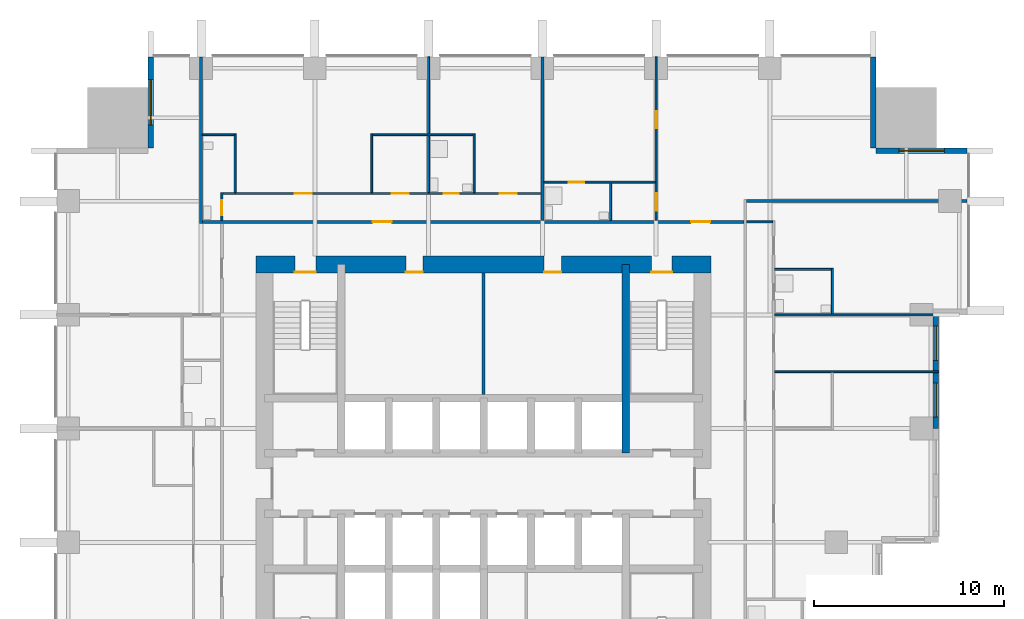
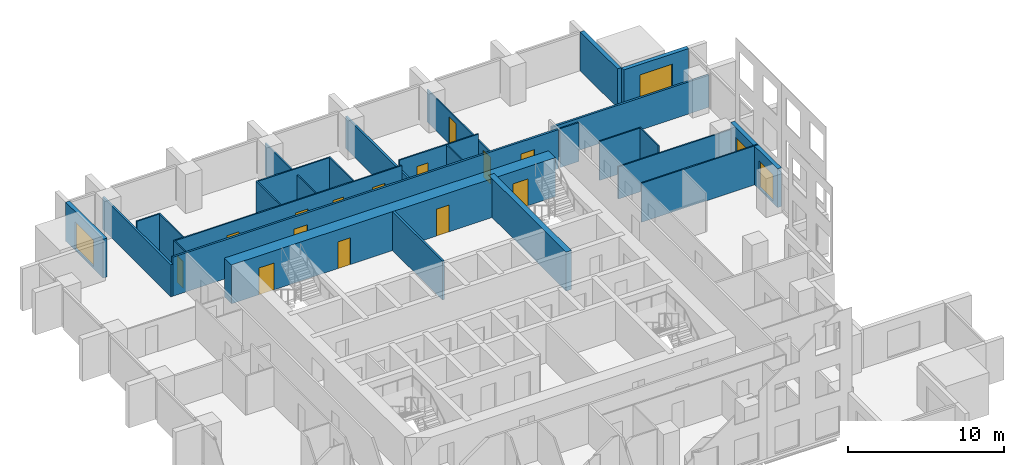
# One storey, part 7 of 11: 27 walls, 14 doors, 4 windows, 18 openings.
"""IFC4 building model written with IfcOpenShell, lengths in metres."""

from ifc_helpers import new_model, si_unit, direction, frame, frame_2d, origin, place, context, subcontext, project, spatial, rectangle, extrude, material, layer, layer_set, type_object, element, fill, save


model = new_model("IFC4")

# Units and contexts
model_context = context("Model", 3, precision=1e-05, world=origin(), true_north=direction((0.0, 1.0)))
body_context = subcontext(model_context, "Body", "Model", "MODEL_VIEW")
ifc_project = project(units=[si_unit("LENGTHUNIT", "METRE"), si_unit("AREAUNIT", "SQUARE_METRE"), si_unit("VOLUMEUNIT", "CUBIC_METRE"), si_unit("PLANEANGLEUNIT", "RADIAN"), si_unit("MASSUNIT", "GRAM", prefix="KILO")], contexts=[model_context])

# Site, building, storey
site_placement = place(None, origin())
site = spatial("IfcSite", under=ifc_project, at=site_placement, CompositionType="ELEMENT")
building_placement = place(site_placement, origin())
building = spatial("IfcBuilding", under=site, at=building_placement, Name="Amberfall Residences", CompositionType="ELEMENT")
storey_placement = place(building_placement, frame((0.0, 0.0, 33.39990234375)))
storey = spatial("IfcBuildingStorey", under=building, at=storey_placement, Name="L08", CompositionType="ELEMENT", Elevation=33.39990234375)

# Wall, opening, window
ifc_material_1 = material(Name="Pale stone cladding on insulated backing", Category="masonry")
ifc_layer_1 = layer(ifc_material_1, 0.300048828125)
ifc_layer_set_1 = layer_set([ifc_layer_1], Name="Bronze clad wall 300")
wall_type_1 = type_object("IfcWallType", Name="Bronze clad wall 300", PredefinedType="SOLIDWALL", material=ifc_layer_set_1)
wall_1_placement = place(storey_placement, frame((100.0, 63.050048828125, 0.0), z_axis=(0.0, 0.0, 1.0), x_axis=(-1.0, 0.0, 0.0)))
wall_1 = element("IfcWall", 1, at=wall_1_placement, inside=storey, type_object=wall_type_1, Name="External wall L08 NE", PredefinedType="SOLIDWALL", context=body_context, shape_type="SweptSolid", body=[
    extrude(rectangle(XDim=4.800048828125, YDim=0.300048828125, at=frame_2d((2.39990234375, 0.0))), origin(), (0.0, 0.0, 1.0), 3.050048828125),
])
opening_1_placement = place(wall_1_placement, frame((1.199951171875, 0.0, 0.14990234375)))
opening_1 = element("IfcOpeningElement", 2, at=opening_1_placement, cuts=wall_1, Name="Opening WN5", PredefinedType="OPENING", context=body_context, shape_type="SweptSolid", body=[
    extrude(rectangle(XDim=2.39990234375, YDim=2.10009765625, at=frame_2d((1.199951171875, 1.050048828125))), frame((0.0, 0.159912109375, 0.0), z_axis=(0.0, -1.0, 0.0), x_axis=(1.0, 0.0, 0.0)), (0.0, 0.0, 1.0), 0.320068359375),
])
ifc_material_2 = material(Name="Bronze aluminium framed glazing", Category="aluminium")
window_type_1 = type_object("IfcWindowType", Name="Glazed opening 2400 x 2100 bronze", PartitioningType="DOUBLE_PANEL_VERTICAL", PredefinedType="WINDOW", material=ifc_material_2)
window_1_placement = place(opening_1_placement, origin())
window_1 = element("IfcWindow", 3, at=window_1_placement, inside=storey, type_object=window_type_1, Name="Window L08 NE", OverallHeight=2.10009765625, OverallWidth=2.39990234375, PartitioningType="DOUBLE_PANEL_VERTICAL", PredefinedType="WINDOW", context=body_context, shape_type="SweptSolid", body=[
    extrude(rectangle(XDim=2.39990234375, YDim=2.10009765625, at=frame_2d((1.199951171875, 1.050048828125))), frame((0.0, 0.030029296875, 0.0), z_axis=(0.0, -1.0, 0.0), x_axis=(1.0, 0.0, 0.0)), (0.0, 0.0, 1.0), 0.06005859375),
])
fill(opening_1, window_1)

# Wall
wall_2_placement = place(storey_placement, frame((95.050048828125, 63.199951171875, 0.0), z_axis=(0.0, 0.0, 1.0), x_axis=(0.0, 1.0, 0.0)))
element("IfcWall", 4, at=wall_2_placement, inside=storey, type_object=wall_type_1, Name="External wall L08 NE", PredefinedType="SOLIDWALL", context=body_context, shape_type="SweptSolid", body=[
    extrude(rectangle(XDim=4.800048828125, YDim=0.300048828125, at=frame_2d((2.39990234375, 0.0))), origin(), (0.0, 0.0, 1.0), 3.050048828125),
])

# Wall, opening, window
wall_3_placement = place(storey_placement, frame((56.949951171875, 68.0, 0.0), z_axis=(0.0, 0.0, 1.0), x_axis=(0.0, -1.0, 0.0)))
wall_3 = element("IfcWall", 5, at=wall_3_placement, inside=storey, type_object=wall_type_1, Name="External wall L08 NW", PredefinedType="SOLIDWALL", context=body_context, shape_type="SweptSolid", body=[
    extrude(rectangle(XDim=4.800048828125, YDim=0.300048828125, at=frame_2d((2.39990234375, 0.0))), origin(), (0.0, 0.0, 1.0), 3.050048828125),
])
opening_2_placement = place(wall_3_placement, frame((1.199951171875, 0.0, 0.14990234375)))
opening_2 = element("IfcOpeningElement", 6, at=opening_2_placement, cuts=wall_3, Name="Opening WN5", PredefinedType="OPENING", context=body_context, shape_type="SweptSolid", body=[
    extrude(rectangle(XDim=2.39990234375, YDim=2.10009765625, at=frame_2d((1.199951171875, 1.050048828125))), frame((0.0, 0.159912109375, 0.0), z_axis=(0.0, -1.0, 0.0), x_axis=(1.0, 0.0, 0.0)), (0.0, 0.0, 1.0), 0.320068359375),
])
window_2_placement = place(opening_2_placement, origin())
window_2 = element("IfcWindow", 7, at=window_2_placement, inside=storey, type_object=window_type_1, Name="Window L08 NW", OverallHeight=2.10009765625, OverallWidth=2.39990234375, PartitioningType="DOUBLE_PANEL_VERTICAL", PredefinedType="WINDOW", context=body_context, shape_type="SweptSolid", body=[
    extrude(rectangle(XDim=2.39990234375, YDim=2.10009765625, at=frame_2d((1.199951171875, 1.050048828125))), frame((0.0, 0.030029296875, 0.0), z_axis=(0.0, -1.0, 0.0), x_axis=(1.0, 0.0, 0.0)), (0.0, 0.0, 1.0), 0.06005859375),
])
fill(opening_2, window_2)

# Wall, openings, windows
wall_4_placement = place(storey_placement, frame((98.35009765625, 48.39990234375, 0.0), z_axis=(0.0, 0.0, 1.0), x_axis=(0.0, 1.0, 0.0)))
wall_4 = element("IfcWall", 8, at=wall_4_placement, inside=storey, type_object=wall_type_1, Name="Stone wall L08 E", PredefinedType="SOLIDWALL", context=body_context, shape_type="SweptSolid", body=[
    extrude(rectangle(XDim=6.0, YDim=0.300048828125, at=frame_2d((3.0, 0.0))), origin(), (0.0, 0.0, 1.0), 3.050048828125),
])
opening_3_placement = place(wall_4_placement, frame((0.60009765625, 0.0, 0.14990234375)))
opening_3 = element("IfcOpeningElement", 9, at=opening_3_placement, cuts=wall_4, Name="Opening WN6", PredefinedType="OPENING", context=body_context, shape_type="SweptSolid", body=[
    extrude(rectangle(XDim=1.800048828125, YDim=2.10009765625, at=frame_2d((0.89990234375, 1.050048828125))), frame((0.0, 0.159912109375, 0.0), z_axis=(0.0, -1.0, 0.0), x_axis=(1.0, 0.0, 0.0)), (0.0, 0.0, 1.0), 0.320068359375),
])
opening_4_placement = place(wall_4_placement, frame((3.60009765625, 0.0, 0.14990234375)))
opening_4 = element("IfcOpeningElement", 10, at=opening_4_placement, cuts=wall_4, Name="Opening WN6", PredefinedType="OPENING", context=body_context, shape_type="SweptSolid", body=[
    extrude(rectangle(XDim=1.800048828125, YDim=2.10009765625, at=frame_2d((0.89990234375, 1.050048828125))), frame((0.0, 0.159912109375, 0.0), z_axis=(0.0, -1.0, 0.0), x_axis=(1.0, 0.0, 0.0)), (0.0, 0.0, 1.0), 0.320068359375),
])
window_type_2 = type_object("IfcWindowType", Name="Glazed opening 1800 x 2100 bronze", PartitioningType="DOUBLE_PANEL_VERTICAL", PredefinedType="WINDOW", material=ifc_material_2)
window_3_placement = place(opening_3_placement, origin())
window_3 = element("IfcWindow", 11, at=window_3_placement, inside=storey, type_object=window_type_2, Name="Window L08 E", OverallHeight=2.10009765625, OverallWidth=1.800048828125, PartitioningType="DOUBLE_PANEL_VERTICAL", PredefinedType="WINDOW", context=body_context, shape_type="SweptSolid", body=[
    extrude(rectangle(XDim=1.800048828125, YDim=2.10009765625, at=frame_2d((0.89990234375, 1.050048828125))), frame((0.0, 0.030029296875, 0.0), z_axis=(0.0, -1.0, 0.0), x_axis=(1.0, 0.0, 0.0)), (0.0, 0.0, 1.0), 0.06005859375),
])
fill(opening_3, window_3)
window_4_placement = place(opening_4_placement, origin())
window_4 = element("IfcWindow", 12, at=window_4_placement, inside=storey, type_object=window_type_2, Name="Window L08 E", OverallHeight=2.10009765625, OverallWidth=1.800048828125, PartitioningType="DOUBLE_PANEL_VERTICAL", PredefinedType="WINDOW", context=body_context, shape_type="SweptSolid", body=[
    extrude(rectangle(XDim=1.800048828125, YDim=2.10009765625, at=frame_2d((0.89990234375, 1.050048828125))), frame((0.0, 0.030029296875, 0.0), z_axis=(0.0, -1.0, 0.0), x_axis=(1.0, 0.0, 0.0)), (0.0, 0.0, 1.0), 0.06005859375),
])
fill(opening_4, window_4)

# Wall
ifc_material_3 = material(Name="Concrete C80", Category="concrete")
ifc_layer_2 = layer(ifc_material_3, 0.39990234375)
ifc_layer_set_2 = layer_set([ifc_layer_2], Name="Core wall 400 C80")
wall_type_2 = type_object("IfcWallType", Name="Core wall 400 C80", PredefinedType="SHEAR", material=ifc_layer_set_2)
wall_5_placement = place(storey_placement, frame((82.0, 47.10009765625, 0.0), z_axis=(0.0, 0.0, 1.0), x_axis=(0.0, 1.0, 0.0)))
element("IfcWall", 13, at=wall_5_placement, inside=storey, type_object=wall_type_2, Name="Core wall RW2 L08 V195N", PredefinedType="SHEAR", context=body_context, shape_type="SweptSolid", body=[
    extrude(rectangle(XDim=9.949951171875, YDim=0.39990234375, at=frame_2d((4.97509765625, 0.0))), origin(), (0.0, 0.0, 1.0), 3.050048828125),
])

# Wall, openings, doors
ifc_layer_3 = layer(ifc_material_3, 0.89990234375)
ifc_layer_set_3 = layer_set([ifc_layer_3], Name="Core wall 900 C80")
wall_type_3 = type_object("IfcWallType", Name="Core wall 900 C80", PredefinedType="SHEAR", material=ifc_layer_set_3)
wall_6_placement = place(storey_placement, frame((62.5, 57.050048828125, 0.0), z_axis=(0.0, 0.0, 1.0), x_axis=(1.0, 0.0, 0.0)))
wall_6 = element("IfcWall", 14, at=wall_6_placement, inside=storey, type_object=wall_type_3, Name="Core wall RW1 L08 ON", PredefinedType="SHEAR", context=body_context, shape_type="SweptSolid", body=[
    extrude(rectangle(XDim=24.0, YDim=0.89990234375, at=frame_2d((12.0, 0.0))), origin(), (0.0, 0.0, 1.0), 3.050048828125),
])
opening_5_placement = place(wall_6_placement, frame((20.85009765625, 0.0, 0.0)))
opening_5 = element("IfcOpeningElement", 15, at=opening_5_placement, cuts=wall_6, Name="Opening SD1", PredefinedType="OPENING", context=body_context, shape_type="SweptSolid", body=[
    extrude(rectangle(XDim=1.10009765625, YDim=2.10009765625, at=frame_2d((0.550048828125, 1.050048828125))), frame((0.0, 0.4599609375, 0.0), z_axis=(0.0, -1.0, 0.0), x_axis=(1.0, 0.0, 0.0)), (0.0, 0.0, 1.0), 0.919921875),
])
opening_6_placement = place(wall_6_placement, frame((2.050048828125, 0.0, 0.0)))
opening_6 = element("IfcOpeningElement", 16, at=opening_6_placement, cuts=wall_6, Name="Opening SD1", PredefinedType="OPENING", context=body_context, shape_type="SweptSolid", body=[
    extrude(rectangle(XDim=1.10009765625, YDim=2.10009765625, at=frame_2d((0.550048828125, 1.050048828125))), frame((0.0, 0.4599609375, 0.0), z_axis=(0.0, -1.0, 0.0), x_axis=(1.0, 0.0, 0.0)), (0.0, 0.0, 1.0), 0.919921875),
])
opening_7_placement = place(wall_6_placement, frame((7.89990234375, 0.0, 0.0)))
opening_7 = element("IfcOpeningElement", 17, at=opening_7_placement, cuts=wall_6, Name="Opening RD1", PredefinedType="OPENING", context=body_context, shape_type="SweptSolid", body=[
    extrude(rectangle(XDim=0.89990234375, YDim=2.10009765625, at=frame_2d((0.449951171875, 1.050048828125))), frame((0.0, 0.4599609375, 0.0), z_axis=(0.0, -1.0, 0.0), x_axis=(1.0, 0.0, 0.0)), (0.0, 0.0, 1.0), 0.919921875),
])
opening_8_placement = place(wall_6_placement, frame((15.199951171875, 0.0, 0.0)))
opening_8 = element("IfcOpeningElement", 18, at=opening_8_placement, cuts=wall_6, Name="Opening RD1", PredefinedType="OPENING", context=body_context, shape_type="SweptSolid", body=[
    extrude(rectangle(XDim=0.89990234375, YDim=2.10009765625, at=frame_2d((0.449951171875, 1.050048828125))), frame((0.0, 0.4599609375, 0.0), z_axis=(0.0, -1.0, 0.0), x_axis=(1.0, 0.0, 0.0)), (0.0, 0.0, 1.0), 0.919921875),
])
ifc_material_4 = material(Name="Steel fire door set", Category="steel")
door_type_1 = type_object("IfcDoorType", Name="Service room door 900 x 2100", OperationType="SINGLE_SWING_LEFT", PredefinedType="DOOR", material=ifc_material_4)
door_1_placement = place(opening_7_placement, origin())
door_1 = element("IfcDoor", 19, at=door_1_placement, inside=storey, type_object=door_type_1, Name="RD1 L08", OperationType="SINGLE_SWING_RIGHT", OverallHeight=2.10009765625, OverallWidth=0.89990234375, PredefinedType="DOOR", context=body_context, shape_type="SweptSolid", body=[
    extrude(rectangle(XDim=0.89990234375, YDim=2.10009765625, at=frame_2d((0.449951171875, 1.050048828125))), frame((0.0, -0.3876953125, 0.0), z_axis=(0.0, -1.0, 0.0), x_axis=(1.0, 0.0, 0.0)), (0.0, 0.0, 1.0), 0.050048828125),
])
fill(opening_7, door_1)
door_2_placement = place(opening_8_placement, origin())
door_2 = element("IfcDoor", 20, at=door_2_placement, inside=storey, type_object=door_type_1, Name="RD1 L08", OperationType="SINGLE_SWING_RIGHT", OverallHeight=2.10009765625, OverallWidth=0.89990234375, PredefinedType="DOOR", context=body_context, shape_type="SweptSolid", body=[
    extrude(rectangle(XDim=0.89990234375, YDim=2.10009765625, at=frame_2d((0.449951171875, 1.050048828125))), frame((0.0, -0.3876953125, 0.0), z_axis=(0.0, -1.0, 0.0), x_axis=(1.0, 0.0, 0.0)), (0.0, 0.0, 1.0), 0.050048828125),
])
fill(opening_8, door_2)
door_type_2 = type_object("IfcDoorType", Name="Stair door 1100 x 2100", OperationType="SINGLE_SWING_LEFT", PredefinedType="DOOR", material=ifc_material_4)
door_3_placement = place(opening_5_placement, origin())
door_3 = element("IfcDoor", 21, at=door_3_placement, inside=storey, type_object=door_type_2, Name="SD1 L08", OperationType="SINGLE_SWING_RIGHT", OverallHeight=2.10009765625, OverallWidth=1.10009765625, PredefinedType="DOOR", context=body_context, shape_type="SweptSolid", body=[
    extrude(rectangle(XDim=1.10009765625, YDim=2.10009765625, at=frame_2d((0.550048828125, 1.050048828125))), frame((0.0, -0.3876953125, 0.0), z_axis=(0.0, -1.0, 0.0), x_axis=(1.0, 0.0, 0.0)), (0.0, 0.0, 1.0), 0.050048828125),
])
fill(opening_5, door_3)
door_4_placement = place(opening_6_placement, origin())
door_4 = element("IfcDoor", 22, at=door_4_placement, inside=storey, type_object=door_type_2, Name="SD1 L08", OperationType="SINGLE_SWING_LEFT", OverallHeight=2.10009765625, OverallWidth=1.10009765625, PredefinedType="DOOR", context=body_context, shape_type="SweptSolid", body=[
    extrude(rectangle(XDim=1.10009765625, YDim=2.10009765625, at=frame_2d((0.550048828125, 1.050048828125))), frame((0.0, -0.3876953125, 0.0), z_axis=(0.0, -1.0, 0.0), x_axis=(1.0, 0.0, 0.0)), (0.0, 0.0, 1.0), 0.050048828125),
])
fill(opening_6, door_4)

# Wall, opening, door
ifc_material_5 = material(Name="Gypsum board on metal stud")
ifc_layer_4 = layer(ifc_material_5, 0.10009765625)
ifc_layer_set_4 = layer_set([ifc_layer_4], Name="Flat partition 100")
wall_type_4 = type_object("IfcWallType", Name="Flat partition 100", PredefinedType="PARTITIONING", material=ifc_layer_set_4)
wall_7_placement = place(storey_placement, frame((60.699951171875, 59.375, 0.0), z_axis=(0.0, 0.0, 1.0), x_axis=(0.0, 1.0, 0.0)))
wall_7 = element("IfcWall", 23, at=wall_7_placement, inside=storey, type_object=wall_type_4, Name="Partition 005", PredefinedType="PARTITIONING", context=body_context, shape_type="SweptSolid", body=[
    extrude(rectangle(XDim=1.47509765625, YDim=0.10009765625, at=frame_2d((0.737548828125, 0.0))), origin(), (0.0, 0.0, 1.0), 3.050048828125),
])
opening_9_placement = place(wall_7_placement, frame((0.27490234375, 0.0, 0.0)))
opening_9 = element("IfcOpeningElement", 24, at=opening_9_placement, cuts=wall_7, Name="Opening D42", PredefinedType="OPENING", context=body_context, shape_type="SweptSolid", body=[
    extrude(rectangle(XDim=0.800048828125, YDim=2.10009765625, at=frame_2d((0.39990234375, 1.050048828125))), frame((0.0, 0.06005859375, 0.0), z_axis=(0.0, -1.0, 0.0), x_axis=(1.0, 0.0, 0.0)), (0.0, 0.0, 1.0), 0.1201171875),
])
ifc_material_6 = material(Name="Timber", Category="wood")
door_type_3 = type_object("IfcDoorType", Name="Bathroom door 800 x 2100", OperationType="SINGLE_SWING_LEFT", PredefinedType="DOOR", material=ifc_material_6)
door_5_placement = place(opening_9_placement, origin())
door_5 = element("IfcDoor", 25, at=door_5_placement, inside=storey, type_object=door_type_3, Name="Door 0805 wc1", OperationType="SINGLE_SWING_LEFT", OverallHeight=2.10009765625, OverallWidth=0.800048828125, PredefinedType="DOOR", context=body_context, shape_type="SweptSolid", body=[
    extrude(rectangle(XDim=0.800048828125, YDim=2.10009765625, at=frame_2d((0.39990234375, 1.050048828125))), frame((0.0, 0.02490234375, 0.0), z_axis=(0.0, -1.0, 0.0), x_axis=(1.0, 0.0, 0.0)), (0.0, 0.0, 1.0), 0.050048828125),
])
fill(opening_9, door_5)

# Walls
for number, where, z_axis, x_axis, name in (
    (26, (61.39990234375, 60.85009765625, 0.0), (0.0, 0.0, 1.0), (0.0, 1.0, 0.0), "Partition 006"),
    (27, (68.60009765625, 60.85009765625, 0.0), (0.0, 0.0, 1.0), (0.0, 1.0, 0.0), "Partition 008"),
):
    element("IfcWall", number, at=place(storey_placement, frame(where, z_axis=z_axis, x_axis=x_axis)), inside=storey, type_object=wall_type_4, Name=name, PredefinedType="PARTITIONING", context=body_context, shape_type="SweptSolid", body=[
        extrude(rectangle(XDim=3.099853515625, YDim=0.10009765625, at=frame_2d((1.5498046875, 0.0))), origin(), (0.0, 0.0, 1.0), 3.050048828125),
    ])
wall_8_placement = place(storey_placement, frame((71.60009765625, 60.85009765625, 0.0), z_axis=(0.0, 0.0, 1.0), x_axis=(0.0, 1.0, 0.0)))
element("IfcWall", 28, at=wall_8_placement, inside=storey, type_object=wall_type_4, Name="Partition 010", PredefinedType="PARTITIONING", context=body_context, shape_type="SweptSolid", body=[
    extrude(rectangle(XDim=7.14990234375, YDim=0.10009765625, at=frame_2d((3.574951171875, 0.0))), origin(), (0.0, 0.0, 1.0), 2.51611328125),
])
wall_9_placement = place(storey_placement, frame((74.0, 60.85009765625, 0.0), z_axis=(0.0, 0.0, 1.0), x_axis=(0.0, 1.0, 0.0)))
element("IfcWall", 29, at=wall_9_placement, inside=storey, type_object=wall_type_4, Name="Partition 011", PredefinedType="PARTITIONING", context=body_context, shape_type="SweptSolid", body=[
    extrude(rectangle(XDim=3.099853515625, YDim=0.10009765625, at=frame_2d((1.5498046875, 0.0))), origin(), (0.0, 0.0, 1.0), 3.050048828125),
])
wall_10_placement = place(storey_placement, frame((81.199951171875, 59.375, 0.0), z_axis=(0.0, 0.0, 1.0), x_axis=(0.0, 1.0, 0.0)))
element("IfcWall", 30, at=wall_10_placement, inside=storey, type_object=wall_type_4, Name="Partition 013", PredefinedType="PARTITIONING", context=body_context, shape_type="SweptSolid", body=[
    extrude(rectangle(XDim=1.97509765625, YDim=0.10009765625, at=frame_2d((0.987548828125, 0.0))), origin(), (0.0, 0.0, 1.0), 3.050048828125),
])

# Wall, openings, doors
wall_11_placement = place(storey_placement, frame((83.60009765625, 59.375, 0.0), z_axis=(0.0, 0.0, 1.0), x_axis=(0.0, 1.0, 0.0)))
wall_11 = element("IfcWall", 31, at=wall_11_placement, inside=storey, type_object=wall_type_4, Name="Partition 015", PredefinedType="PARTITIONING", context=body_context, shape_type="SweptSolid", body=[
    extrude(rectangle(XDim=8.625, YDim=0.10009765625, at=frame_2d((4.3125, 0.0))), origin(), (0.0, 0.0, 1.0), 2.51611328125),
])
opening_10_placement = place(wall_11_placement, frame((0.52490234375, 0.0, 0.0)))
opening_10 = element("IfcOpeningElement", 32, at=opening_10_placement, cuts=wall_11, Name="Opening D41", PredefinedType="OPENING", context=body_context, shape_type="SweptSolid", body=[
    extrude(rectangle(XDim=0.89990234375, YDim=2.10009765625, at=frame_2d((0.449951171875, 1.050048828125))), frame((0.0, 0.06005859375, 0.0), z_axis=(0.0, -1.0, 0.0), x_axis=(1.0, 0.0, 0.0)), (0.0, 0.0, 1.0), 0.1201171875),
])
opening_11_placement = place(wall_11_placement, frame((4.875, 0.0, 0.0)))
opening_11 = element("IfcOpeningElement", 33, at=opening_11_placement, cuts=wall_11, Name="Opening D41", PredefinedType="OPENING", context=body_context, shape_type="SweptSolid", body=[
    extrude(rectangle(XDim=0.89990234375, YDim=2.10009765625, at=frame_2d((0.449951171875, 1.050048828125))), frame((0.0, 0.06005859375, 0.0), z_axis=(0.0, -1.0, 0.0), x_axis=(1.0, 0.0, 0.0)), (0.0, 0.0, 1.0), 0.1201171875),
])
door_type_4 = type_object("IfcDoorType", Name="Internal door 900 x 2100", OperationType="SINGLE_SWING_LEFT", PredefinedType="DOOR", material=ifc_material_6)
door_6_placement = place(opening_10_placement, origin())
door_6 = element("IfcDoor", 34, at=door_6_placement, inside=storey, type_object=door_type_4, Name="Door 0806 kitchen", OperationType="SINGLE_SWING_LEFT", OverallHeight=2.10009765625, OverallWidth=0.89990234375, PredefinedType="DOOR", context=body_context, shape_type="SweptSolid", body=[
    extrude(rectangle(XDim=0.89990234375, YDim=2.10009765625, at=frame_2d((0.449951171875, 1.050048828125))), frame((0.0, 0.02490234375, 0.0), z_axis=(0.0, -1.0, 0.0), x_axis=(1.0, 0.0, 0.0)), (0.0, 0.0, 1.0), 0.050048828125),
])
fill(opening_10, door_6)
door_7_placement = place(opening_11_placement, origin())
door_7 = element("IfcDoor", 35, at=door_7_placement, inside=storey, type_object=door_type_4, Name="Door 0806 bedroom1", OperationType="SINGLE_SWING_LEFT", OverallHeight=2.10009765625, OverallWidth=0.89990234375, PredefinedType="DOOR", context=body_context, shape_type="SweptSolid", body=[
    extrude(rectangle(XDim=0.89990234375, YDim=2.10009765625, at=frame_2d((0.449951171875, 1.050048828125))), frame((0.0, 0.02490234375, 0.0), z_axis=(0.0, -1.0, 0.0), x_axis=(1.0, 0.0, 0.0)), (0.0, 0.0, 1.0), 0.050048828125),
])
fill(opening_11, door_7)

# Walls
wall_12_placement = place(storey_placement, frame((92.89990234375, 54.449951171875, 0.0), z_axis=(0.0, 0.0, 1.0), x_axis=(0.0, 1.0, 0.0)))
element("IfcWall", 36, at=wall_12_placement, inside=storey, type_object=wall_type_4, Name="Partition 021", PredefinedType="PARTITIONING", context=body_context, shape_type="SweptSolid", body=[
    extrude(rectangle(XDim=2.400146484375, YDim=0.10009765625, at=frame_2d((1.2001953125, 0.0))), origin(), (0.0, 0.0, 1.0), 3.050048828125),
])
wall_13_placement = place(storey_placement, frame((59.675048828125, 63.89990234375, 0.0), z_axis=(0.0, 0.0, 1.0), x_axis=(1.0, 0.0, 0.0)))
element("IfcWall", 37, at=wall_13_placement, inside=storey, type_object=wall_type_4, Name="Partition 022", PredefinedType="PARTITIONING", context=body_context, shape_type="SweptSolid", body=[
    extrude(rectangle(XDim=1.675048828125, YDim=0.10009765625, at=frame_2d((0.83740234375, 0.0))), origin(), (0.0, 0.0, 1.0), 3.050048828125),
])
wall_14_placement = place(storey_placement, frame((68.64990234375, 63.89990234375, 0.0), z_axis=(0.0, 0.0, 1.0), x_axis=(1.0, 0.0, 0.0)))
element("IfcWall", 38, at=wall_14_placement, inside=storey, type_object=wall_type_4, Name="Partition 023", PredefinedType="PARTITIONING", context=body_context, shape_type="SweptSolid", body=[
    extrude(rectangle(XDim=5.300048828125, YDim=0.10009765625, at=frame_2d((2.64990234375, 0.0))), origin(), (0.0, 0.0, 1.0), 3.050048828125),
])

# Wall, opening, door
wall_15_placement = place(storey_placement, frame((83.550048828125, 61.39990234375, 0.0), z_axis=(0.0, 0.0, 1.0), x_axis=(-1.0, 0.0, 0.0)))
wall_15 = element("IfcWall", 39, at=wall_15_placement, inside=storey, type_object=wall_type_4, Name="Partition 024", PredefinedType="PARTITIONING", context=body_context, shape_type="SweptSolid", body=[
    extrude(rectangle(XDim=5.875, YDim=0.10009765625, at=frame_2d((2.9375, 0.0))), origin(), (0.0, 0.0, 1.0), 3.050048828125),
])
opening_12_placement = place(wall_15_placement, frame((3.75, 0.0, 0.0)))
opening_12 = element("IfcOpeningElement", 40, at=opening_12_placement, cuts=wall_15, Name="Opening D42", PredefinedType="OPENING", context=body_context, shape_type="SweptSolid", body=[
    extrude(rectangle(XDim=0.800048828125, YDim=2.10009765625, at=frame_2d((0.39990234375, 1.050048828125))), frame((0.0, 0.06005859375, 0.0), z_axis=(0.0, -1.0, 0.0), x_axis=(1.0, 0.0, 0.0)), (0.0, 0.0, 1.0), 0.1201171875),
])
door_8_placement = place(opening_12_placement, origin())
door_8 = element("IfcDoor", 41, at=door_8_placement, inside=storey, type_object=door_type_3, Name="Door 0806 bath1", OperationType="SINGLE_SWING_LEFT", OverallHeight=2.10009765625, OverallWidth=0.800048828125, PredefinedType="DOOR", context=body_context, shape_type="SweptSolid", body=[
    extrude(rectangle(XDim=0.800048828125, YDim=2.10009765625, at=frame_2d((0.39990234375, 1.050048828125))), frame((0.0, 0.02490234375, 0.0), z_axis=(0.0, -1.0, 0.0), x_axis=(1.0, 0.0, 0.0)), (0.0, 0.0, 1.0), 0.050048828125),
])
fill(opening_12, door_8)

# Wall, openings, doors
wall_16_placement = place(storey_placement, frame((60.75, 60.800048828125, 0.0), z_axis=(0.0, 0.0, 1.0), x_axis=(1.0, 0.0, 0.0)))
wall_16 = element("IfcWall", 42, at=wall_16_placement, inside=storey, type_object=wall_type_4, Name="Partition 025", PredefinedType="PARTITIONING", context=body_context, shape_type="SweptSolid", body=[
    extrude(rectangle(XDim=16.77490234375, YDim=0.10009765625, at=frame_2d((8.387451171875, 0.0))), origin(), (0.0, 0.0, 1.0), 3.050048828125),
])
opening_13_placement = place(wall_16_placement, frame((3.800048828125, 0.0, 0.0)))
opening_13 = element("IfcOpeningElement", 43, at=opening_13_placement, cuts=wall_16, Name="Opening D41", PredefinedType="OPENING", context=body_context, shape_type="SweptSolid", body=[
    extrude(rectangle(XDim=0.89990234375, YDim=2.10009765625, at=frame_2d((0.449951171875, 1.050048828125))), frame((0.0, 0.06005859375, 0.0), z_axis=(0.0, -1.0, 0.0), x_axis=(1.0, 0.0, 0.0)), (0.0, 0.0, 1.0), 0.1201171875),
])
opening_14_placement = place(wall_16_placement, frame((8.89990234375, 0.0, 0.0)))
opening_14 = element("IfcOpeningElement", 44, at=opening_14_placement, cuts=wall_16, Name="Opening D41", PredefinedType="OPENING", context=body_context, shape_type="SweptSolid", body=[
    extrude(rectangle(XDim=0.89990234375, YDim=2.10009765625, at=frame_2d((0.449951171875, 1.050048828125))), frame((0.0, 0.06005859375, 0.0), z_axis=(0.0, -1.0, 0.0), x_axis=(1.0, 0.0, 0.0)), (0.0, 0.0, 1.0), 0.1201171875),
])
opening_15_placement = place(wall_16_placement, frame((14.60009765625, 0.0, 0.0)))
opening_15 = element("IfcOpeningElement", 45, at=opening_15_placement, cuts=wall_16, Name="Opening D41", PredefinedType="OPENING", context=body_context, shape_type="SweptSolid", body=[
    extrude(rectangle(XDim=0.89990234375, YDim=2.10009765625, at=frame_2d((0.449951171875, 1.050048828125))), frame((0.0, 0.06005859375, 0.0), z_axis=(0.0, -1.0, 0.0), x_axis=(1.0, 0.0, 0.0)), (0.0, 0.0, 1.0), 0.1201171875),
])
opening_16_placement = place(wall_16_placement, frame((11.64990234375, 0.0, 0.0)))
opening_16 = element("IfcOpeningElement", 46, at=opening_16_placement, cuts=wall_16, Name="Opening D42", PredefinedType="OPENING", context=body_context, shape_type="SweptSolid", body=[
    extrude(rectangle(XDim=0.800048828125, YDim=2.10009765625, at=frame_2d((0.39990234375, 1.050048828125))), frame((0.0, 0.06005859375, 0.0), z_axis=(0.0, -1.0, 0.0), x_axis=(1.0, 0.0, 0.0)), (0.0, 0.0, 1.0), 0.1201171875),
])
door_9_placement = place(opening_16_placement, origin())
door_9 = element("IfcDoor", 47, at=door_9_placement, inside=storey, type_object=door_type_3, Name="Door 0805 bath1", OperationType="SINGLE_SWING_LEFT", OverallHeight=2.10009765625, OverallWidth=0.800048828125, PredefinedType="DOOR", context=body_context, shape_type="SweptSolid", body=[
    extrude(rectangle(XDim=0.800048828125, YDim=2.10009765625, at=frame_2d((0.39990234375, 1.050048828125))), frame((0.0, 0.02490234375, 0.0), z_axis=(0.0, -1.0, 0.0), x_axis=(1.0, 0.0, 0.0)), (0.0, 0.0, 1.0), 0.050048828125),
])
fill(opening_16, door_9)
door_10_placement = place(opening_13_placement, origin())
door_10 = element("IfcDoor", 48, at=door_10_placement, inside=storey, type_object=door_type_4, Name="Door 0805 living", OperationType="SINGLE_SWING_LEFT", OverallHeight=2.10009765625, OverallWidth=0.89990234375, PredefinedType="DOOR", context=body_context, shape_type="SweptSolid", body=[
    extrude(rectangle(XDim=0.89990234375, YDim=2.10009765625, at=frame_2d((0.449951171875, 1.050048828125))), frame((0.0, 0.02490234375, 0.0), z_axis=(0.0, -1.0, 0.0), x_axis=(1.0, 0.0, 0.0)), (0.0, 0.0, 1.0), 0.050048828125),
])
fill(opening_13, door_10)
door_11_placement = place(opening_14_placement, origin())
door_11 = element("IfcDoor", 49, at=door_11_placement, inside=storey, type_object=door_type_4, Name="Door 0805 kitchen", OperationType="SINGLE_SWING_LEFT", OverallHeight=2.10009765625, OverallWidth=0.89990234375, PredefinedType="DOOR", context=body_context, shape_type="SweptSolid", body=[
    extrude(rectangle(XDim=0.89990234375, YDim=2.10009765625, at=frame_2d((0.449951171875, 1.050048828125))), frame((0.0, 0.02490234375, 0.0), z_axis=(0.0, -1.0, 0.0), x_axis=(1.0, 0.0, 0.0)), (0.0, 0.0, 1.0), 0.050048828125),
])
fill(opening_14, door_11)
door_12_placement = place(opening_15_placement, origin())
door_12 = element("IfcDoor", 50, at=door_12_placement, inside=storey, type_object=door_type_4, Name="Door 0805 bedroom1", OperationType="SINGLE_SWING_LEFT", OverallHeight=2.10009765625, OverallWidth=0.89990234375, PredefinedType="DOOR", context=body_context, shape_type="SweptSolid", body=[
    extrude(rectangle(XDim=0.89990234375, YDim=2.10009765625, at=frame_2d((0.449951171875, 1.050048828125))), frame((0.0, 0.02490234375, 0.0), z_axis=(0.0, -1.0, 0.0), x_axis=(1.0, 0.0, 0.0)), (0.0, 0.0, 1.0), 0.050048828125),
])
fill(opening_15, door_12)

# Walls
wall_17_placement = place(storey_placement, frame((88.375, 59.300048828125, 0.0), z_axis=(0.0, 0.0, 1.0), x_axis=(1.0, 0.0, 0.0)))
element("IfcWall", 51, at=wall_17_placement, inside=storey, type_object=wall_type_4, Name="Partition 026", PredefinedType="PARTITIONING", context=body_context, shape_type="SweptSolid", body=[
    extrude(rectangle(XDim=1.375, YDim=0.10009765625, at=frame_2d((0.6875, 0.0))), origin(), (0.0, 0.0, 1.0), 3.050048828125),
])
wall_18_placement = place(storey_placement, frame((89.85009765625, 56.800048828125, 0.0), z_axis=(0.0, 0.0, 1.0), x_axis=(1.0, 0.0, 0.0)))
element("IfcWall", 52, at=wall_18_placement, inside=storey, type_object=wall_type_4, Name="Partition 027", PredefinedType="PARTITIONING", context=body_context, shape_type="SweptSolid", body=[
    extrude(rectangle(XDim=3.0, YDim=0.10009765625, at=frame_2d((1.5, 0.0))), origin(), (0.0, 0.0, 1.0), 3.050048828125),
])
wall_19_placement = place(storey_placement, frame((89.85009765625, 54.39990234375, 0.0), z_axis=(0.0, 0.0, 1.0), x_axis=(1.0, 0.0, 0.0)))
element("IfcWall", 53, at=wall_19_placement, inside=storey, type_object=wall_type_4, Name="Partition 029", PredefinedType="PARTITIONING", context=body_context, shape_type="SweptSolid", body=[
    extrude(rectangle(XDim=8.64990234375, YDim=0.10009765625, at=frame_2d((4.324951171875, 0.0))), origin(), (0.0, 0.0, 1.0), 2.51611328125),
])
wall_20_placement = place(storey_placement, frame((89.85009765625, 51.39990234375, 0.0), z_axis=(0.0, 0.0, 1.0), x_axis=(1.0, 0.0, 0.0)))
element("IfcWall", 54, at=wall_20_placement, inside=storey, type_object=wall_type_4, Name="Partition 031", PredefinedType="PARTITIONING", context=body_context, shape_type="SweptSolid", body=[
    extrude(rectangle(XDim=8.64990234375, YDim=0.10009765625, at=frame_2d((4.324951171875, 0.0))), origin(), (0.0, 0.0, 1.0), 3.050048828125),
])
ifc_material_7 = material(Name="Blockwork, plastered", Category="masonry")
ifc_layer_5 = layer(ifc_material_7, 0.14990234375)
ifc_layer_set_5 = layer_set([ifc_layer_5], Name="Flat separating wall 150")
wall_type_5 = type_object("IfcWallType", Name="Flat separating wall 150", PredefinedType="PARTITIONING", material=ifc_layer_set_5)
wall_21_placement = place(storey_placement, frame((59.60009765625, 59.22509765625, 0.0), z_axis=(0.0, 0.0, 1.0), x_axis=(0.0, 1.0, 0.0)))
element("IfcWall", 55, at=wall_21_placement, inside=storey, type_object=wall_type_5, Name="Separating wall 044", PredefinedType="PARTITIONING", context=body_context, shape_type="SweptSolid", body=[
    extrude(rectangle(XDim=8.77490234375, YDim=0.14990234375, at=frame_2d((4.387451171875, 0.0))), origin(), (0.0, 0.0, 1.0), 2.510009765625),
])
wall_22_placement = place(storey_placement, frame((77.60009765625, 59.375, 0.0), z_axis=(0.0, 0.0, 1.0), x_axis=(0.0, 1.0, 0.0)))
element("IfcWall", 56, at=wall_22_placement, inside=storey, type_object=wall_type_5, Name="Separating wall 047", PredefinedType="PARTITIONING", context=body_context, shape_type="SweptSolid", body=[
    extrude(rectangle(XDim=8.625, YDim=0.14990234375, at=frame_2d((4.3125, 0.0))), origin(), (0.0, 0.0, 1.0), 2.51611328125),
])
wall_23_placement = place(storey_placement, frame((88.375, 60.39990234375, 0.0), z_axis=(0.0, 0.0, 1.0), x_axis=(1.0, 0.0, 0.0)))
element("IfcWall", 57, at=wall_23_placement, inside=storey, type_object=wall_type_5, Name="Separating wall 050", PredefinedType="PARTITIONING", context=body_context, shape_type="SweptSolid", body=[
    extrude(rectangle(XDim=11.625, YDim=0.14990234375, at=frame_2d((5.8125, 0.0))), origin(), (0.0, 0.0, 1.0), 2.51611328125),
])

# Wall, openings, doors
wall_24_placement = place(storey_placement, frame((59.675048828125, 59.300048828125, 0.0), z_axis=(0.0, 0.0, 1.0), x_axis=(1.0, 0.0, 0.0)))
wall_24 = element("IfcWall", 58, at=wall_24_placement, inside=storey, type_object=wall_type_5, Name="Separating wall 051", PredefinedType="PARTITIONING", context=body_context, shape_type="SweptSolid", body=[
    extrude(rectangle(XDim=28.550048828125, YDim=0.14990234375, at=frame_2d((14.27490234375, 0.0))), origin(), (0.0, 0.0, 1.0), 3.050048828125),
])
opening_17_placement = place(wall_24_placement, frame((8.97509765625, 0.0, 0.0)))
opening_17 = element("IfcOpeningElement", 59, at=opening_17_placement, cuts=wall_24, Name="Opening D40", PredefinedType="OPENING", context=body_context, shape_type="SweptSolid", body=[
    extrude(rectangle(XDim=1.0, YDim=2.10009765625, at=frame_2d((0.5, 1.050048828125))), frame((0.0, 0.0849609375, 0.0), z_axis=(0.0, -1.0, 0.0), x_axis=(1.0, 0.0, 0.0)), (0.0, 0.0, 1.0), 0.169921875),
])
opening_18_placement = place(wall_24_placement, frame((25.77490234375, 0.0, 0.0)))
opening_18 = element("IfcOpeningElement", 60, at=opening_18_placement, cuts=wall_24, Name="Opening D40", PredefinedType="OPENING", context=body_context, shape_type="SweptSolid", body=[
    extrude(rectangle(XDim=1.0, YDim=2.10009765625, at=frame_2d((0.5, 1.050048828125))), frame((0.0, 0.0849609375, 0.0), z_axis=(0.0, -1.0, 0.0), x_axis=(1.0, 0.0, 0.0)), (0.0, 0.0, 1.0), 0.169921875),
])
ifc_material_8 = material(Name="Timber, fire-rated", Category="wood")
door_type_5 = type_object("IfcDoorType", Name="Flat entrance door FD60 1000 x 2100", OperationType="SINGLE_SWING_LEFT", PredefinedType="DOOR", material=ifc_material_8)
door_13_placement = place(opening_17_placement, origin())
door_13 = element("IfcDoor", 61, at=door_13_placement, inside=storey, type_object=door_type_5, Name="Door 0805 entrance", OperationType="SINGLE_SWING_LEFT", OverallHeight=2.10009765625, OverallWidth=1.0, PredefinedType="DOOR", context=body_context, shape_type="SweptSolid", body=[
    extrude(rectangle(XDim=1.0, YDim=2.10009765625, at=frame_2d((0.5, 1.050048828125))), frame((0.0, 0.02490234375, 0.0), z_axis=(0.0, -1.0, 0.0), x_axis=(1.0, 0.0, 0.0)), (0.0, 0.0, 1.0), 0.050048828125),
])
fill(opening_17, door_13)
door_14_placement = place(opening_18_placement, origin())
door_14 = element("IfcDoor", 62, at=door_14_placement, inside=storey, type_object=door_type_5, Name="Door 0806 entrance", OperationType="SINGLE_SWING_LEFT", OverallHeight=2.10009765625, OverallWidth=1.0, PredefinedType="DOOR", context=body_context, shape_type="SweptSolid", body=[
    extrude(rectangle(XDim=1.0, YDim=2.10009765625, at=frame_2d((0.5, 1.050048828125))), frame((0.0, 0.02490234375, 0.0), z_axis=(0.0, -1.0, 0.0), x_axis=(1.0, 0.0, 0.0)), (0.0, 0.0, 1.0), 0.050048828125),
])
fill(opening_18, door_14)

# Wall
ifc_material_9 = material(Name="Concrete blockwork", Category="masonry")
ifc_layer_6 = layer(ifc_material_9, 0.14990234375)
ifc_layer_set_6 = layer_set([ifc_layer_6], Name="Riser wall 150")
wall_type_6 = type_object("IfcWallType", Name="Riser wall 150", PredefinedType="PLUMBINGWALL", material=ifc_layer_set_6)
wall_25_placement = place(storey_placement, frame((74.5, 50.199951171875, 0.0), z_axis=(0.0, 0.0, 1.0), x_axis=(0.0, 1.0, 0.0)))
element("IfcWall", 63, at=wall_25_placement, inside=storey, type_object=wall_type_6, Name="L08 core wall N0", PredefinedType="PLUMBINGWALL", context=body_context, shape_type="SweptSolid", body=[
    extrude(rectangle(XDim=6.400146484375, YDim=0.14990234375, at=frame_2d((3.2001953125, 0.0))), origin(), (0.0, 0.0, 1.0), 3.050048828125),
])

save(model, "model.ifc")
